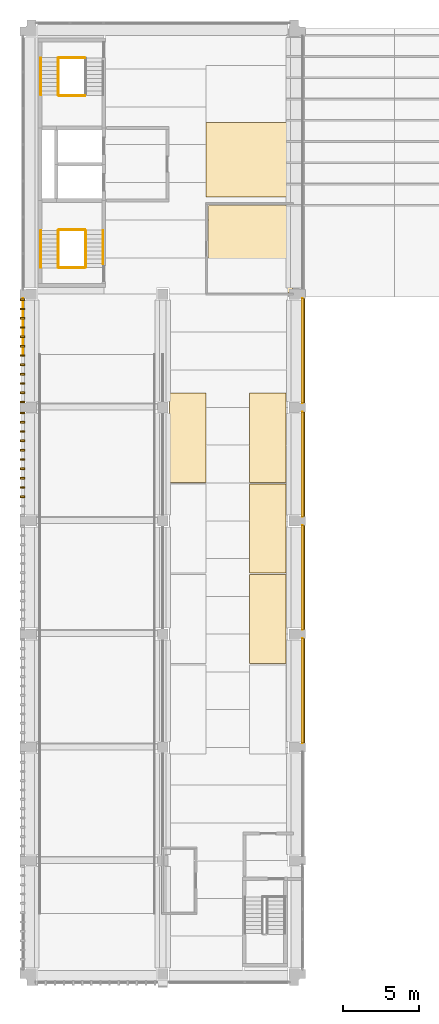
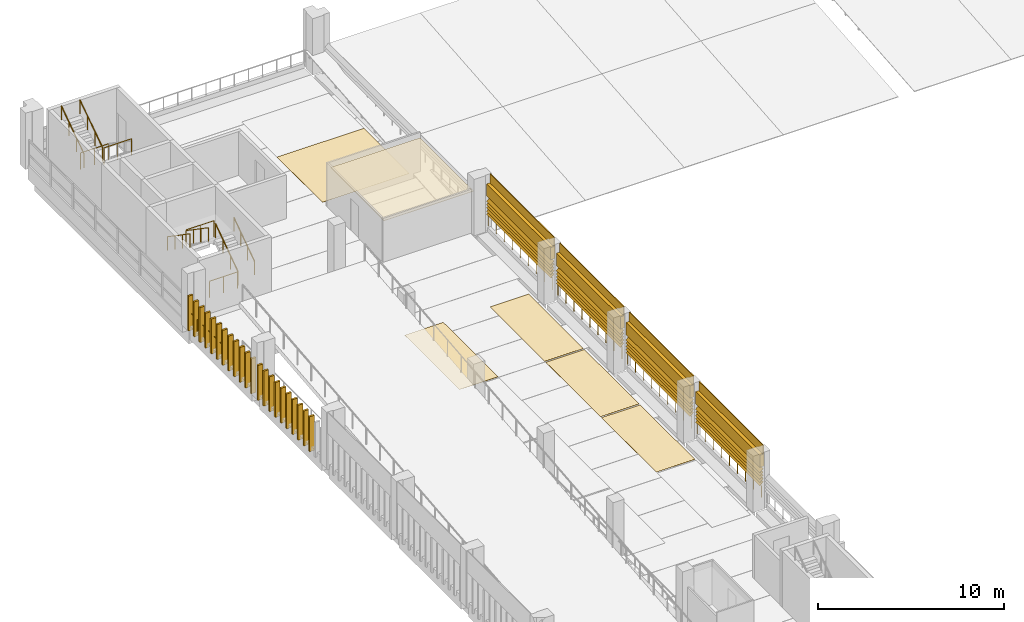
# One storey, part 17 of 24: 32 coverings, 20 shading devices, 15 railings.
"""IFC4 building model written with IfcOpenShell, lengths in metres."""

import ifcopenshell
import ifcopenshell.guid

model = None  # the IFC model being written
_history = None  # IfcOwnerHistory: only IFC2X3 demands one
_inside = {}  # id of a spatial element -> (the spatial element, [elements in it])
_under = {}  # id of a project, library or spatial element -> (it, [spatial elements below it])
_declared = {}  # id of a project -> (the project, [libraries it declares])
_typed = {}  # id of a type object -> (the type object, [elements of that type])
_made_of = {}  # id of a material, layer set ... -> (it, [elements and type objects made of it])


def new_model(schema):
    """Start an empty IFC model of exactly this schema.

    Asked for "IFC4X3", IfcOpenShell would pick the latest addendum, in which some entities
    have other attributes; the version numbers below select the first issue.
    IFC2X3 requires an IfcOwnerHistory on every rooted entity: one is made here for all.
    """
    global model, _history
    if schema == "IFC4X3":
        model = ifcopenshell.file(schema_version=(4, 3, 0, 0))
    else:
        model = ifcopenshell.file(schema=schema)
    _inside.clear()
    _under.clear()
    _declared.clear()
    _typed.clear()
    _made_of.clear()
    _history = None
    if model.schema == "IFC2X3":
        org = make("IfcOrganization", Name="unknown")
        user = make(
            "IfcPersonAndOrganization",
            ThePerson=make("IfcPerson", FamilyName="unknown"),
            TheOrganization=org,
        )
        app = make(
            "IfcApplication",
            ApplicationDeveloper=org,
            Version="unknown",
            ApplicationFullName="unknown",
            ApplicationIdentifier="unknown",
        )
        _history = make(
            "IfcOwnerHistory",
            OwningUser=user,
            OwningApplication=app,
            ChangeAction="ADDED",
            CreationDate=0,
        )
    return model


def make(cls, **values):
    """One entity of the class cls with the attributes given. An attribute that is None is left unset."""
    return model.create_entity(
        cls, **{name: value for name, value in values.items() if value is not None}
    )


def rooted(cls, **values):
    """An entity with a GlobalId (a new one), such as an element, a storey or a relation."""
    return make(cls, GlobalId=ifcopenshell.guid.new(), OwnerHistory=_history, **values)


def si_unit(unit_type, name, prefix=None):
    """IfcSIUnit, for example si_unit("LENGTHUNIT", "METRE", prefix="MILLI")."""
    return make("IfcSIUnit", UnitType=unit_type, Prefix=prefix, Name=name)


def assignment(units):
    """IfcUnitAssignment: the units of a project."""
    return None if units is None else make("IfcUnitAssignment", Units=units)


def point(xyz):
    """IfcCartesianPoint."""
    return None if xyz is None else make("IfcCartesianPoint", Coordinates=xyz)


def direction(xyz):
    """IfcDirection."""
    return None if xyz is None else make("IfcDirection", DirectionRatios=xyz)


def frame(location, z_axis=None, x_axis=None):
    """IfcAxis2Placement3D, a coordinate frame: its origin and axes. An axis left out is left unset."""
    return make(
        "IfcAxis2Placement3D",
        Location=point(location),
        Axis=direction(z_axis),
        RefDirection=direction(x_axis),
    )


def frame_2d(location, x_axis=None):
    """IfcAxis2Placement2D, a coordinate frame in the plane: its origin and x axis."""
    return make(
        "IfcAxis2Placement2D", Location=point(location), RefDirection=direction(x_axis)
    )


def origin():
    """The frame at (0, 0, 0) with its axes left unset."""
    return frame((0.0, 0.0, 0.0))


def origin_2d():
    """The frame at (0, 0) in the plane with its x axis left unset."""
    return frame_2d((0.0, 0.0))


def place(relative_to, where):
    """IfcLocalPlacement: puts the frame where relative to a parent placement (None: the world)."""
    return make(
        "IfcLocalPlacement", PlacementRelTo=relative_to, RelativePlacement=where
    )


def context(
    kind, dimensions, precision=None, world=None, true_north=None, identifier=None
):
    """IfcGeometricRepresentationContext, for example the 3D "Model" context."""
    return make(
        "IfcGeometricRepresentationContext",
        ContextIdentifier=identifier,
        ContextType=kind,
        CoordinateSpaceDimension=dimensions,
        Precision=precision,
        WorldCoordinateSystem=world,
        TrueNorth=true_north,
    )


def subcontext(parent, identifier, kind, view, scale=None):
    """IfcGeometricRepresentationSubContext, for example "Body" below "Model"."""
    return make(
        "IfcGeometricRepresentationSubContext",
        ContextIdentifier=identifier,
        ContextType=kind,
        ParentContext=parent,
        TargetScale=scale,
        TargetView=view,
    )


def project(units=None, contexts=None):
    """IfcProject with its units and contexts."""
    return rooted(
        "IfcProject",
        Name="project",
        RepresentationContexts=contexts,
        UnitsInContext=assignment(units),
    )


def spatial(cls, under=None, at=None, **own):
    """A site, building, storey or space (cls), placed at a placement, below another one or the project."""
    s = rooted(cls, ObjectPlacement=at, **own)
    if under is not None:
        _under.setdefault(under.id(), (under, []))[1].append(s)
    return s


def polyline(points):
    """IfcPolyline through the points."""
    return make("IfcPolyline", Points=[point(p) for p in points])


def profile(cls, at=None, kind="AREA", **sizes):
    """A parametric profile (cls). Its sizes go by their IFC names, for example OverallWidth=200.0."""
    return make(cls, ProfileType=kind, Position=at, **sizes)


def circle(**sizes):
    """IfcCircleProfileDef."""
    return profile("IfcCircleProfileDef", **sizes)


def outline(outer, holes=None, kind="AREA"):
    """IfcArbitraryClosedProfileDef: a profile drawn as a closed curve; with holes, ...WithVoids."""
    if holes is None:
        return make("IfcArbitraryClosedProfileDef", ProfileType=kind, OuterCurve=outer)
    return make(
        "IfcArbitraryProfileDefWithVoids",
        ProfileType=kind,
        OuterCurve=outer,
        InnerCurves=holes,
    )


def extrude(swept, where, along, depth):
    """IfcExtrudedAreaSolid: the profile swept, set in the frame where, extruded along a direction by depth."""
    return make(
        "IfcExtrudedAreaSolid",
        SweptArea=swept,
        Position=where,
        ExtrudedDirection=direction(along),
        Depth=depth,
    )


def shape(context_of_items, identifier, shape_type, items):
    """IfcShapeRepresentation: the items that make up one representation, for example the "Body"."""
    return make(
        "IfcShapeRepresentation",
        ContextOfItems=context_of_items,
        RepresentationIdentifier=identifier,
        RepresentationType=shape_type,
        Items=items,
    )


def material(Name=None, Category=None):
    """IfcMaterial."""
    return make("IfcMaterial", Name=Name, Category=Category)


def layer(
    of_material, thickness, ventilated=None, Name=None, Category=None, Priority=None
):
    """IfcMaterialLayer: one layer of a wall or slab, of a material (None: an air gap)."""
    return make(
        "IfcMaterialLayer",
        Material=of_material,
        LayerThickness=thickness,
        IsVentilated=ventilated,
        Name=Name,
        Category=Category,
        Priority=Priority,
    )


def layer_set(layers, Name=None):
    """IfcMaterialLayerSet."""
    return make("IfcMaterialLayerSet", MaterialLayers=layers, LayerSetName=Name)


def made_of(thing, what):
    """Note that an element or type object is made of a material, layer set ...; save() writes the relation."""
    if what is not None:
        _made_of.setdefault(what.id(), (what, []))[1].append(thing)
    return thing


def type_object(cls, material=None, **own):
    """A type object (cls), such as IfcWallType, which elements share."""
    return made_of(rooted(cls, **own), material)


def element(
    cls,
    number,
    at=None,
    inside=None,
    cuts=None,
    type_object=None,
    material=None,
    context=None,
    identifier="Body",
    shape_type=None,
    held_by="IfcProductDefinitionShape",
    body=None,
    shapes=None,
    **own,
):
    """One element of the class cls, such as IfcWall. Its Tag is "e" and its number.

    at: its placement. inside: the storey or other place that contains it. cuts: it is an
    opening in that element (IfcRelVoidsElement). A single representation is given by context,
    identifier, shape_type and body (its items); several are given by shapes. held_by: the class
    of the entity that holds the representations. save() writes the other relations.
    """
    e = rooted(cls, Tag="e%d" % number, ObjectPlacement=at, **own)
    if body is not None:
        shapes = [shape(context, identifier, shape_type, body)]
    if shapes is not None:
        e.Representation = make(held_by, Representations=shapes)
    if inside is not None:
        _inside.setdefault(inside.id(), (inside, []))[1].append(e)
    if cuts is not None:
        rooted(
            "IfcRelVoidsElement", RelatingBuildingElement=cuts, RelatedOpeningElement=e
        )
    if type_object is not None:
        _typed.setdefault(type_object.id(), (type_object, []))[1].append(e)
    return made_of(e, material)


def aggregate(whole, parts):
    """IfcRelAggregates: a whole, such as a stair, and the parts it consists of."""
    return rooted("IfcRelAggregates", RelatingObject=whole, RelatedObjects=parts)


def save(model, path):
    """Write the relations noted so far, then the file.

    IfcRelAggregates (storeys below a building ...), IfcRelContainedInSpatialStructure (elements
    in a storey), IfcRelDefinesByType, IfcRelAssociatesMaterial and IfcRelDeclares: one each for
    every whole, place, type object, material and project.
    """
    for whole, parts in _under.values():
        aggregate(whole, parts)
    for where, things in _inside.values():
        rooted(
            "IfcRelContainedInSpatialStructure",
            RelatedElements=things,
            RelatingStructure=where,
        )
    for kind, things in _typed.values():
        rooted("IfcRelDefinesByType", RelatedObjects=things, RelatingType=kind)
    for what, things in _made_of.values():
        rooted("IfcRelAssociatesMaterial", RelatedObjects=things, RelatingMaterial=what)
    for by, libraries in _declared.values():
        rooted("IfcRelDeclares", RelatingContext=by, RelatedDefinitions=libraries)
    model.write(path)


model = new_model("IFC4")

# Units and contexts
model_context = context("Model", 3, precision=1e-05, world=origin(), true_north=direction((0.0, 1.0)))
body_context = subcontext(model_context, "Body", "Model", "MODEL_VIEW")
ifc_project = project(units=[si_unit("LENGTHUNIT", "METRE"), si_unit("AREAUNIT", "SQUARE_METRE"), si_unit("VOLUMEUNIT", "CUBIC_METRE"), si_unit("PLANEANGLEUNIT", "RADIAN"), si_unit("MASSUNIT", "GRAM", prefix="KILO")], contexts=[model_context])

# Site, building, storey
site_placement = place(None, origin())
site = spatial("IfcSite", under=ifc_project, at=site_placement, CompositionType="ELEMENT")
building_placement = place(site_placement, origin())
building = spatial("IfcBuilding", under=site, at=building_placement, Name="Cour d'Honneur Mobility Palace", CompositionType="ELEMENT")
storey_placement = place(building_placement, frame((0.0, 0.0, 26.699951171875)))
storey = spatial("IfcBuildingStorey", under=building, at=storey_placement, Name="L07", CompositionType="ELEMENT", Elevation=26.699951171875)

# Covering
ifc_material_1 = material(Name="Accessible bay marking paint")
ifc_layer_1 = layer(ifc_material_1, 0.0048828125)
ifc_layer_set_1 = layer_set([ifc_layer_1], Name="Accessible bay marking paint")
covering_type_1 = type_object("IfcCoveringType", Name="Accessible parking bay marking", PredefinedType="FLOORING", material=ifc_layer_set_1)
covering_1_placement = place(storey_placement, origin())
element("IfcCovering", 1, at=covering_1_placement, inside=storey, type_object=covering_type_1, Name="Accessible parking bay marking L07 1", PredefinedType="FLOORING", context=body_context, shape_type="SweptSolid", body=[
    extrude(outline(polyline([(16.949951171875, 51.449951171875), (11.550048828125, 51.449951171875), (11.550048828125, 56.35009765625), (16.949951171875, 56.35009765625), (16.949951171875, 51.449951171875)])), origin(), (0.0, 0.0, 1.0), 0.005126953125),
])

# Railings
ifc_material_2 = material(Name="Painted steel", Category="steel")
railing_type_1 = type_object("IfcRailingType", Name="Balustrade", PredefinedType="BALUSTRADE", material=ifc_material_2)
for number, where, name in (
    (2, (17.949951171875, 15.300048828125, 0.300048828125), "Balustrade BAL-368"),
    (3, (17.949951171875, 22.800048828125, 0.300048828125), "Balustrade BAL-369"),
    (4, (17.949951171875, 30.300048828125, 0.300048828125), "Balustrade BAL-370"),
    (5, (17.949951171875, 37.800048828125, 0.300048828125), "Balustrade BAL-371"),
):
    element("IfcRailing", number, at=place(storey_placement, frame(where)), inside=storey, type_object=railing_type_1, Name=name, PredefinedType="BALUSTRADE", context=body_context, shape_type="SweptSolid", body=[
        extrude(circle(Radius=0.02392578125, at=origin_2d()), frame((0.0, 0.0, 0.77587890625), z_axis=(0.0, 1.0, 0.0), x_axis=(-1.0, 0.0, 0.0)), (0.0, 0.0, 1.0), 6.89990234375),
        extrude(circle(Radius=0.02099609375, at=origin_2d()), origin(), (0.0, 0.0, 1.0), 0.751953125),
        extrude(circle(Radius=0.02099609375, at=origin_2d()), frame((0.0, 0.862548828125, 0.0)), (0.0, 0.0, 1.0), 0.751953125),
        extrude(circle(Radius=0.02099609375, at=origin_2d()), frame((0.0, 1.72509765625, 0.0)), (0.0, 0.0, 1.0), 0.751953125),
        extrude(circle(Radius=0.02099609375, at=origin_2d()), frame((0.0, 2.58740234375, 0.0)), (0.0, 0.0, 1.0), 0.751953125),
        extrude(circle(Radius=0.02099609375, at=origin_2d()), frame((0.0, 3.449951171875, 0.0)), (0.0, 0.0, 1.0), 0.751953125),
        extrude(circle(Radius=0.02099609375, at=origin_2d()), frame((0.0, 4.3125, 0.0)), (0.0, 0.0, 1.0), 0.751953125),
        extrude(circle(Radius=0.02099609375, at=origin_2d()), frame((0.0, 5.1748046875, 0.0)), (0.0, 0.0, 1.0), 0.751953125),
        extrude(circle(Radius=0.02099609375, at=origin_2d()), frame((0.0, 6.037353515625, 0.0)), (0.0, 0.0, 1.0), 0.751953125),
        extrude(circle(Radius=0.02099609375, at=origin_2d()), frame((0.0, 6.89990234375, 0.0)), (0.0, 0.0, 1.0), 0.751953125),
    ])
railing_1_placement = place(storey_placement, frame((-0.550048828125, 44.699951171875, 0.300048828125)))
element("IfcRailing", 6, at=railing_1_placement, inside=storey, type_object=railing_type_1, Name="Balustrade BAL-374", PredefinedType="BALUSTRADE", context=body_context, shape_type="SweptSolid", body=[
    extrude(circle(Radius=0.02392578125, at=origin_2d()), frame((0.0, 0.0, 0.77587890625), z_axis=(0.0, -1.0, 0.0), x_axis=(1.0, 0.0, 0.0)), (0.0, 0.0, 1.0), 3.699951171875),
    extrude(circle(Radius=0.02099609375, at=origin_2d()), origin(), (0.0, 0.0, 1.0), 0.751953125),
    extrude(circle(Radius=0.02099609375, at=origin_2d()), frame((0.0, -0.739990234375, 0.0)), (0.0, 0.0, 1.0), 0.751953125),
    extrude(circle(Radius=0.02099609375, at=origin_2d()), frame((0.0, -1.47998046875, 0.0)), (0.0, 0.0, 1.0), 0.751953125),
    extrude(circle(Radius=0.02099609375, at=origin_2d()), frame((0.0, -2.219970703125, 0.0)), (0.0, 0.0, 1.0), 0.751953125),
    extrude(circle(Radius=0.02099609375, at=origin_2d()), frame((0.0, -2.9599609375, 0.0)), (0.0, 0.0, 1.0), 0.751953125),
    extrude(circle(Radius=0.02099609375, at=origin_2d()), frame((0.0, -3.699951171875, 0.0)), (0.0, 0.0, 1.0), 0.751953125),
])
ifc_material_3 = material(Name="Painted steel", Category="steel")
railing_type_2 = type_object("IfcRailingType", Name="Guardrail 1100", PredefinedType="GUARDRAIL", material=ifc_material_3)
for number, where, name in (
    (7, (1.824951171875, 46.7548828125, 0.0), "Guard ST-CW1"),
    (8, (1.824951171875, 49.264892578125, 1.85009765625), "Landing guard ST-CW1"),
    (9, (1.824951171875, 60.64501953125, 0.0), "Guard ST-CW2"),
    (10, (1.824951171875, 58.135009765625, 1.85009765625), "Landing guard ST-CW2"),
):
    element("IfcRailing", number, at=place(storey_placement, frame(where)), inside=storey, type_object=railing_type_2, Name=name, PredefinedType="GUARDRAIL", context=body_context, shape_type="SweptSolid", body=[
        extrude(circle(Radius=0.02490234375, at=origin_2d()), frame((0.0, 0.0, 1.0751953125), z_axis=(1.0, 0.0, 0.0), x_axis=(0.0, 1.0, 0.0)), (0.0, 0.0, 1.0), 1.72509765625),
        extrude(circle(Radius=0.02099609375, at=origin_2d()), origin(), (0.0, 0.0, 1.0), 1.050048828125),
        extrude(circle(Radius=0.02099609375, at=origin_2d()), frame((0.862548828125, 0.0, 0.0)), (0.0, 0.0, 1.0), 1.050048828125),
        extrude(circle(Radius=0.02099609375, at=origin_2d()), frame((1.72509765625, 0.0, 0.0)), (0.0, 0.0, 1.0), 1.050048828125),
    ])
ifc_material_4 = material(Name="Stainless steel", Category="steel")
railing_type_3 = type_object("IfcRailingType", Name="Handrail round 50", PredefinedType="HANDRAIL", material=ifc_material_4)
railing_2_placement = place(storey_placement, frame((4.75, 47.0, 0.33935546875)))
element("IfcRailing", 11, at=railing_2_placement, inside=storey, type_object=railing_type_3, Name="Handrail ST-CW1", PredefinedType="HANDRAIL", context=body_context, shape_type="SweptSolid", body=[
    extrude(circle(Radius=0.02490234375, at=origin_2d()), frame((0.0, 0.0, 0.89501953125), z_axis=(0.0, 0.824957609129, 0.565194606432), x_axis=(-1.0, 0.0, 0.0)), (0.0, 0.0, 1.0), 2.6728515625),
    extrude(circle(Radius=0.02099609375, at=origin_2d()), origin(), (0.0, 0.0, 1.0), 0.869873046875),
    extrude(circle(Radius=0.02099609375, at=origin_2d()), frame((0.0, 0.735107421875, 0.503662109375)), (0.0, 0.0, 1.0), 0.869873046875),
    extrude(circle(Radius=0.02099609375, at=origin_2d()), frame((0.0, 1.469970703125, 1.007080078125)), (0.0, 0.0, 1.0), 0.869873046875),
    extrude(circle(Radius=0.02099609375, at=origin_2d()), frame((0.0, 2.205078125, 1.5107421875)), (0.0, 0.0, 1.0), 0.869873046875),
])
railing_3_placement = place(storey_placement, frame((3.60009765625, 46.77490234375, 0.18505859375)))
element("IfcRailing", 12, at=railing_3_placement, inside=storey, type_object=railing_type_3, Name="Handrail ST-CW1", PredefinedType="HANDRAIL", context=body_context, shape_type="SweptSolid", body=[
    extrude(circle(Radius=0.02490234375, at=origin_2d()), frame((0.0, 0.0, 0.89501953125), z_axis=(0.0, 0.824945253146, 0.565212640793), x_axis=(-1.0, 0.0, 0.0)), (0.0, 0.0, 1.0), 2.94580078125),
    extrude(circle(Radius=0.02099609375, at=origin_2d()), origin(), (0.0, 0.0, 1.0), 0.869873046875),
    extrude(circle(Radius=0.02099609375, at=origin_2d()), frame((0.0, 0.81005859375, 0.554931640625)), (0.0, 0.0, 1.0), 0.869873046875),
    extrude(circle(Radius=0.02099609375, at=origin_2d()), frame((0.0, 1.6201171875, 1.110107421875)), (0.0, 0.0, 1.0), 0.869873046875),
    extrude(circle(Radius=0.02099609375, at=origin_2d()), frame((0.0, 2.43017578125, 1.6650390625)), (0.0, 0.0, 1.0), 0.869873046875),
])
for number, where, name in (
    (13, (1.77490234375, 49.205078125, 2.03515625), "Handrail ST-CW1"),
    (14, (0.625, 49.205078125, 2.03515625), "Handrail ST-CW1"),
):
    element("IfcRailing", number, at=place(storey_placement, frame(where)), inside=storey, type_object=railing_type_3, Name=name, PredefinedType="HANDRAIL", context=body_context, shape_type="SweptSolid", body=[
        extrude(circle(Radius=0.02490234375, at=origin_2d()), frame((0.0, 0.0, 0.89501953125), z_axis=(0.0, -0.824983895463, 0.565156237006), x_axis=(1.0, 0.0, 0.0)), (0.0, 0.0, 1.0), 2.94580078125),
        extrude(circle(Radius=0.02099609375, at=origin_2d()), origin(), (0.0, 0.0, 1.0), 0.869873046875),
        extrude(circle(Radius=0.02099609375, at=origin_2d()), frame((0.0, -0.81005859375, 0.554931640625)), (0.0, 0.0, 1.0), 0.869873046875),
        extrude(circle(Radius=0.02099609375, at=origin_2d()), frame((0.0, -1.6201171875, 1.10986328125)), (0.0, 0.0, 1.0), 0.869873046875),
        extrude(circle(Radius=0.02099609375, at=origin_2d()), frame((0.0, -2.43017578125, 1.664794921875)), (0.0, 0.0, 1.0), 0.869873046875),
    ])
for number, where, name in (
    (15, (1.77490234375, 58.195068359375, 2.03515625), "Handrail ST-CW2"),
    (16, (0.625, 58.195068359375, 2.03515625), "Handrail ST-CW2"),
):
    element("IfcRailing", number, at=place(storey_placement, frame(where)), inside=storey, type_object=railing_type_3, Name=name, PredefinedType="HANDRAIL", context=body_context, shape_type="SweptSolid", body=[
        extrude(circle(Radius=0.02490234375, at=origin_2d()), frame((0.0, 0.0, 0.89501953125), z_axis=(0.0, 0.824957420862, 0.565194881227), x_axis=(-1.0, 0.0, 0.0)), (0.0, 0.0, 1.0), 2.945556640625),
        extrude(circle(Radius=0.02099609375, at=origin_2d()), origin(), (0.0, 0.0, 1.0), 0.869873046875),
        extrude(circle(Radius=0.02099609375, at=origin_2d()), frame((0.0, 0.81005859375, 0.554931640625)), (0.0, 0.0, 1.0), 0.869873046875),
        extrude(circle(Radius=0.02099609375, at=origin_2d()), frame((0.0, 1.619873046875, 1.10986328125)), (0.0, 0.0, 1.0), 0.869873046875),
        extrude(circle(Radius=0.02099609375, at=origin_2d()), frame((0.0, 2.429931640625, 1.664794921875)), (0.0, 0.0, 1.0), 0.869873046875),
    ])

# Coverings
ifc_material_5 = material(Name="Parking marking paint")
ifc_layer_2 = layer(ifc_material_5, 0.0048828125)
ifc_layer_set_2 = layer_set([ifc_layer_2], Name="Parking marking paint")
covering_type_2 = type_object("IfcCoveringType", Name="Parking bay marking", PredefinedType="FLOORING", material=ifc_layer_set_2)
covering_2_placement = place(storey_placement, origin())
element("IfcCovering", 17, at=covering_2_placement, inside=storey, type_object=covering_type_2, Name="Parking bay marking L07 12", PredefinedType="FLOORING", context=body_context, shape_type="SweptSolid", body=[
    extrude(outline(polyline([(11.550048828125, 32.550048828125), (9.14990234375, 32.550048828125), (9.14990234375, 38.449951171875), (11.550048828125, 38.449951171875), (11.550048828125, 32.550048828125)])), origin(), (0.0, 0.0, 1.0), 0.005126953125),
])
covering_3_placement = place(storey_placement, origin())
element("IfcCovering", 18, at=covering_3_placement, inside=storey, type_object=covering_type_2, Name="Parking bay marking L07 14", PredefinedType="FLOORING", context=body_context, shape_type="SweptSolid", body=[
    extrude(outline(polyline([(16.85009765625, 20.550048828125), (14.449951171875, 20.550048828125), (14.449951171875, 26.449951171875), (16.85009765625, 26.449951171875), (16.85009765625, 20.550048828125)])), origin(), (0.0, 0.0, 1.0), 0.005126953125),
])
covering_4_placement = place(storey_placement, origin())
element("IfcCovering", 19, at=covering_4_placement, inside=storey, type_object=covering_type_2, Name="Parking bay marking L07 15", PredefinedType="FLOORING", context=body_context, shape_type="SweptSolid", body=[
    extrude(outline(polyline([(16.85009765625, 26.550048828125), (14.449951171875, 26.550048828125), (14.449951171875, 32.449951171875), (16.85009765625, 32.449951171875), (16.85009765625, 26.550048828125)])), origin(), (0.0, 0.0, 1.0), 0.005126953125),
])
covering_5_placement = place(storey_placement, origin())
element("IfcCovering", 20, at=covering_5_placement, inside=storey, type_object=covering_type_2, Name="Parking bay marking L07 16", PredefinedType="FLOORING", context=body_context, shape_type="SweptSolid", body=[
    extrude(outline(polyline([(16.85009765625, 32.550048828125), (14.449951171875, 32.550048828125), (14.449951171875, 38.449951171875), (16.85009765625, 38.449951171875), (16.85009765625, 32.550048828125)])), origin(), (0.0, 0.0, 1.0), 0.005126953125),
])
ifc_material_6 = material(Name="Cast limestone", Category="masonry")
ifc_layer_3 = layer(ifc_material_6, 0.1201171875)
ifc_layer_set_3 = layer_set([ifc_layer_3], Name="Cast limestone")
covering_type_3 = type_object("IfcCoveringType", Name="Ramp screen fin", PredefinedType="CLADDING", material=ifc_layer_set_3)
covering_6_placement = place(storey_placement, origin())
element("IfcCovering", 21, at=covering_6_placement, inside=storey, type_object=covering_type_3, Name="Ramp screen fin W3.1 L07 1", PredefinedType="CLADDING", context=body_context, shape_type="SweptSolid", body=[
    extrude(outline(polyline([(-0.449951171875, 44.699951171875), (-0.449951171875, 44.580078125), (-0.75, 44.580078125), (-0.75, 44.699951171875), (-0.449951171875, 44.699951171875)])), origin(), (0.0, 0.0, 1.0), 2.300048828125),
])
covering_7_placement = place(storey_placement, origin())
element("IfcCovering", 22, at=covering_7_placement, inside=storey, type_object=covering_type_3, Name="Ramp screen fin W3.1 L07 2", PredefinedType="CLADDING", context=body_context, shape_type="SweptSolid", body=[
    extrude(outline(polyline([(-0.449951171875, 44.083740234375), (-0.449951171875, 43.963623046875), (-0.75, 43.963623046875), (-0.75, 44.083740234375), (-0.449951171875, 44.083740234375)])), origin(), (0.0, 0.0, 1.0), 2.300048828125),
])
covering_8_placement = place(storey_placement, origin())
element("IfcCovering", 23, at=covering_8_placement, inside=storey, type_object=covering_type_3, Name="Ramp screen fin W3.1 L07 3", PredefinedType="CLADDING", context=body_context, shape_type="SweptSolid", body=[
    extrude(outline(polyline([(-0.449951171875, 43.46728515625), (-0.449951171875, 43.34716796875), (-0.75, 43.34716796875), (-0.75, 43.46728515625), (-0.449951171875, 43.46728515625)])), origin(), (0.0, 0.0, 1.0), 2.300048828125),
])
covering_9_placement = place(storey_placement, origin())
element("IfcCovering", 24, at=covering_9_placement, inside=storey, type_object=covering_type_3, Name="Ramp screen fin W3.1 L07 4", PredefinedType="CLADDING", context=body_context, shape_type="SweptSolid", body=[
    extrude(outline(polyline([(-0.449951171875, 42.850830078125), (-0.449951171875, 42.73095703125), (-0.75, 42.73095703125), (-0.75, 42.850830078125), (-0.449951171875, 42.850830078125)])), origin(), (0.0, 0.0, 1.0), 2.300048828125),
])
covering_10_placement = place(storey_placement, origin())
element("IfcCovering", 25, at=covering_10_placement, inside=storey, type_object=covering_type_3, Name="Ramp screen fin W3.1 L07 5", PredefinedType="CLADDING", context=body_context, shape_type="SweptSolid", body=[
    extrude(outline(polyline([(-0.449951171875, 42.234619140625), (-0.449951171875, 42.114501953125), (-0.75, 42.114501953125), (-0.75, 42.234619140625), (-0.449951171875, 42.234619140625)])), origin(), (0.0, 0.0, 1.0), 2.300048828125),
])
covering_11_placement = place(storey_placement, origin())
element("IfcCovering", 26, at=covering_11_placement, inside=storey, type_object=covering_type_3, Name="Ramp screen fin W3.1 L07 6", PredefinedType="CLADDING", context=body_context, shape_type="SweptSolid", body=[
    extrude(outline(polyline([(-0.449951171875, 41.6181640625), (-0.449951171875, 41.498291015625), (-0.75, 41.498291015625), (-0.75, 41.6181640625), (-0.449951171875, 41.6181640625)])), origin(), (0.0, 0.0, 1.0), 2.300048828125),
])
covering_12_placement = place(storey_placement, origin())
element("IfcCovering", 27, at=covering_12_placement, inside=storey, type_object=covering_type_3, Name="Ramp screen fin W3.1 L07 7", PredefinedType="CLADDING", context=body_context, shape_type="SweptSolid", body=[
    extrude(outline(polyline([(-0.449951171875, 41.001708984375), (-0.449951171875, 40.8818359375), (-0.75, 40.8818359375), (-0.75, 41.001708984375), (-0.449951171875, 41.001708984375)])), origin(), (0.0, 0.0, 1.0), 2.300048828125),
])
covering_13_placement = place(storey_placement, origin())
element("IfcCovering", 28, at=covering_13_placement, inside=storey, type_object=covering_type_3, Name="Ramp screen fin W3.1 L07 8", PredefinedType="CLADDING", context=body_context, shape_type="SweptSolid", body=[
    extrude(outline(polyline([(-0.449951171875, 40.385498046875), (-0.449951171875, 40.265380859375), (-0.75, 40.265380859375), (-0.75, 40.385498046875), (-0.449951171875, 40.385498046875)])), origin(), (0.0, 0.0, 1.0), 2.300048828125),
])
covering_14_placement = place(storey_placement, origin())
element("IfcCovering", 29, at=covering_14_placement, inside=storey, type_object=covering_type_3, Name="Ramp screen fin W3.1 L07 9", PredefinedType="CLADDING", context=body_context, shape_type="SweptSolid", body=[
    extrude(outline(polyline([(-0.449951171875, 39.76904296875), (-0.449951171875, 39.649169921875), (-0.75, 39.649169921875), (-0.75, 39.76904296875), (-0.449951171875, 39.76904296875)])), origin(), (0.0, 0.0, 1.0), 2.300048828125),
])
covering_15_placement = place(storey_placement, origin())
element("IfcCovering", 30, at=covering_15_placement, inside=storey, type_object=covering_type_3, Name="Ramp screen fin W3.1 L07 10", PredefinedType="CLADDING", context=body_context, shape_type="SweptSolid", body=[
    extrude(outline(polyline([(-0.449951171875, 39.15283203125), (-0.449951171875, 39.03271484375), (-0.75, 39.03271484375), (-0.75, 39.15283203125), (-0.449951171875, 39.15283203125)])), origin(), (0.0, 0.0, 1.0), 2.300048828125),
])
covering_16_placement = place(storey_placement, origin())
element("IfcCovering", 31, at=covering_16_placement, inside=storey, type_object=covering_type_3, Name="Ramp screen fin W3.1 L07 11", PredefinedType="CLADDING", context=body_context, shape_type="SweptSolid", body=[
    extrude(outline(polyline([(-0.449951171875, 38.536376953125), (-0.449951171875, 38.416259765625), (-0.75, 38.416259765625), (-0.75, 38.536376953125), (-0.449951171875, 38.536376953125)])), origin(), (0.0, 0.0, 1.0), 2.300048828125),
])
covering_17_placement = place(storey_placement, origin())
element("IfcCovering", 32, at=covering_17_placement, inside=storey, type_object=covering_type_3, Name="Ramp screen fin W3.1 L07 12", PredefinedType="CLADDING", context=body_context, shape_type="SweptSolid", body=[
    extrude(outline(polyline([(-0.449951171875, 37.919921875), (-0.449951171875, 37.800048828125), (-0.75, 37.800048828125), (-0.75, 37.919921875), (-0.449951171875, 37.919921875)])), origin(), (0.0, 0.0, 1.0), 2.300048828125),
])
covering_18_placement = place(storey_placement, origin())
element("IfcCovering", 33, at=covering_18_placement, inside=storey, type_object=covering_type_3, Name="Ramp screen fin W3.2 L07 1", PredefinedType="CLADDING", context=body_context, shape_type="SweptSolid", body=[
    extrude(outline(polyline([(-0.449951171875, 37.199951171875), (-0.449951171875, 37.080078125), (-0.75, 37.080078125), (-0.75, 37.199951171875), (-0.449951171875, 37.199951171875)])), origin(), (0.0, 0.0, 1.0), 2.300048828125),
])
covering_19_placement = place(storey_placement, origin())
element("IfcCovering", 34, at=covering_19_placement, inside=storey, type_object=covering_type_3, Name="Ramp screen fin W3.2 L07 2", PredefinedType="CLADDING", context=body_context, shape_type="SweptSolid", body=[
    extrude(outline(polyline([(-0.449951171875, 36.583740234375), (-0.449951171875, 36.463623046875), (-0.75, 36.463623046875), (-0.75, 36.583740234375), (-0.449951171875, 36.583740234375)])), origin(), (0.0, 0.0, 1.0), 2.300048828125),
])
covering_20_placement = place(storey_placement, origin())
element("IfcCovering", 35, at=covering_20_placement, inside=storey, type_object=covering_type_3, Name="Ramp screen fin W3.2 L07 3", PredefinedType="CLADDING", context=body_context, shape_type="SweptSolid", body=[
    extrude(outline(polyline([(-0.449951171875, 35.96728515625), (-0.449951171875, 35.84716796875), (-0.75, 35.84716796875), (-0.75, 35.96728515625), (-0.449951171875, 35.96728515625)])), origin(), (0.0, 0.0, 1.0), 2.300048828125),
])
covering_21_placement = place(storey_placement, origin())
element("IfcCovering", 36, at=covering_21_placement, inside=storey, type_object=covering_type_3, Name="Ramp screen fin W3.2 L07 4", PredefinedType="CLADDING", context=body_context, shape_type="SweptSolid", body=[
    extrude(outline(polyline([(-0.449951171875, 35.350830078125), (-0.449951171875, 35.23095703125), (-0.75, 35.23095703125), (-0.75, 35.350830078125), (-0.449951171875, 35.350830078125)])), origin(), (0.0, 0.0, 1.0), 2.300048828125),
])
covering_22_placement = place(storey_placement, origin())
element("IfcCovering", 37, at=covering_22_placement, inside=storey, type_object=covering_type_3, Name="Ramp screen fin W3.2 L07 5", PredefinedType="CLADDING", context=body_context, shape_type="SweptSolid", body=[
    extrude(outline(polyline([(-0.449951171875, 34.734619140625), (-0.449951171875, 34.614501953125), (-0.75, 34.614501953125), (-0.75, 34.734619140625), (-0.449951171875, 34.734619140625)])), origin(), (0.0, 0.0, 1.0), 2.300048828125),
])
covering_23_placement = place(storey_placement, origin())
element("IfcCovering", 38, at=covering_23_placement, inside=storey, type_object=covering_type_3, Name="Ramp screen fin W3.2 L07 6", PredefinedType="CLADDING", context=body_context, shape_type="SweptSolid", body=[
    extrude(outline(polyline([(-0.449951171875, 34.1181640625), (-0.449951171875, 33.998291015625), (-0.75, 33.998291015625), (-0.75, 34.1181640625), (-0.449951171875, 34.1181640625)])), origin(), (0.0, 0.0, 1.0), 2.300048828125),
])
covering_24_placement = place(storey_placement, origin())
element("IfcCovering", 39, at=covering_24_placement, inside=storey, type_object=covering_type_3, Name="Ramp screen fin W3.2 L07 7", PredefinedType="CLADDING", context=body_context, shape_type="SweptSolid", body=[
    extrude(outline(polyline([(-0.449951171875, 33.501708984375), (-0.449951171875, 33.3818359375), (-0.75, 33.3818359375), (-0.75, 33.501708984375), (-0.449951171875, 33.501708984375)])), origin(), (0.0, 0.0, 1.0), 2.300048828125),
])
covering_25_placement = place(storey_placement, origin())
element("IfcCovering", 40, at=covering_25_placement, inside=storey, type_object=covering_type_3, Name="Ramp screen fin W3.2 L07 8", PredefinedType="CLADDING", context=body_context, shape_type="SweptSolid", body=[
    extrude(outline(polyline([(-0.449951171875, 32.885498046875), (-0.449951171875, 32.765380859375), (-0.75, 32.765380859375), (-0.75, 32.885498046875), (-0.449951171875, 32.885498046875)])), origin(), (0.0, 0.0, 1.0), 2.300048828125),
])
covering_26_placement = place(storey_placement, origin())
element("IfcCovering", 41, at=covering_26_placement, inside=storey, type_object=covering_type_3, Name="Ramp screen fin W3.2 L07 9", PredefinedType="CLADDING", context=body_context, shape_type="SweptSolid", body=[
    extrude(outline(polyline([(-0.449951171875, 32.26904296875), (-0.449951171875, 32.149169921875), (-0.75, 32.149169921875), (-0.75, 32.26904296875), (-0.449951171875, 32.26904296875)])), origin(), (0.0, 0.0, 1.0), 2.300048828125),
])
covering_27_placement = place(storey_placement, origin())
element("IfcCovering", 42, at=covering_27_placement, inside=storey, type_object=covering_type_3, Name="Ramp screen fin W3.2 L07 10", PredefinedType="CLADDING", context=body_context, shape_type="SweptSolid", body=[
    extrude(outline(polyline([(-0.449951171875, 31.65283203125), (-0.449951171875, 31.53271484375), (-0.75, 31.53271484375), (-0.75, 31.65283203125), (-0.449951171875, 31.65283203125)])), origin(), (0.0, 0.0, 1.0), 2.300048828125),
])
ifc_material_7 = material(Name="Cast limestone", Category="masonry")
ifc_layer_4 = layer(ifc_material_7, 0.25)
ifc_layer_set_4 = layer_set([ifc_layer_4], Name="Cast limestone")
covering_type_4 = type_object("IfcCoveringType", Name="Spandrel cladding", PredefinedType="CLADDING", material=ifc_layer_set_4)
for number, where, z_axis, x_axis, name in (
    (43, (17.85009765625, 15.300048828125, 2.300048828125), (0.0, -1.0, 0.0), (1.0, 0.0, 0.0), "Spandrel cladding SK-376"),
    (44, (17.85009765625, 22.800048828125, 2.300048828125), (0.0, -1.0, 0.0), (1.0, 0.0, 0.0), "Spandrel cladding SK-377"),
    (45, (17.85009765625, 30.300048828125, 2.300048828125), (0.0, -1.0, 0.0), (1.0, 0.0, 0.0), "Spandrel cladding SK-378"),
    (46, (17.85009765625, 37.800048828125, 2.300048828125), (0.0, -1.0, 0.0), (1.0, 0.0, 0.0), "Spandrel cladding SK-379"),
):
    element("IfcCovering", number, at=place(storey_placement, frame(where, z_axis=z_axis, x_axis=x_axis)), inside=storey, type_object=covering_type_4, Name=name, PredefinedType="CLADDING", context=body_context, shape_type="SweptSolid", body=[
        extrude(outline(polyline([(0.0, 0.0), (0.25, 0.0), (0.25, 1.39990234375), (0.199951171875, 1.39990234375), (0.199951171875, 0.800048828125), (0.0, 0.800048828125), (0.0, 0.0)])), origin(), (0.0, 0.0, -1.0), 6.89990234375),
    ])
ifc_material_8 = material(Name="Suspended ceiling")
ifc_layer_5 = layer(ifc_material_8, 0.030029296875)
ifc_layer_set_5 = layer_set([ifc_layer_5], Name="Suspended ceiling")
covering_type_5 = type_object("IfcCoveringType", Name="Suspended ceiling", PredefinedType="CEILING", material=ifc_layer_set_5)
covering_28_placement = place(storey_placement, frame((0.0, 0.0, 2.550048828125)))
element("IfcCovering", 47, at=covering_28_placement, inside=storey, type_object=covering_type_5, Name="Ceiling Charging Control Room", PredefinedType="CEILING", context=body_context, shape_type="SweptSolid", body=[
    extrude(outline(polyline([(17.280029296875, 45.1201171875), (11.719970703125, 45.1201171875), (11.719970703125, 50.8798828125), (17.280029296875, 50.8798828125), (17.280029296875, 45.1201171875)])), origin(), (0.0, 0.0, 1.0), 0.030029296875),
])

# Shading devices
ifc_material_9 = material(Name="Terracotta", Category="masonry")
ifc_layer_6 = layer(ifc_material_9, 0.02490234375)
ifc_layer_set_6 = layer_set([ifc_layer_6], Name="Terracotta")
shading_device_type = type_object("IfcShadingDeviceType", Name="Terracotta louvre blade", PredefinedType="JALOUSIE", material=ifc_layer_set_6)
for number, where, z_axis, x_axis, name in (
    (48, (17.843994140625, 15.300048828125, 1.10009765625), (-0.707106781187, 0.0, 0.707106781187), (0.0, 1.0, 0.0), "Louvre blade LV-1 E1.2 L07 1"),
    (49, (17.843994140625, 15.300048828125, 1.312255859375), (-0.707106781187, 0.0, 0.707106781187), (0.0, 1.0, 0.0), "Louvre blade LV-1 E1.2 L07 2"),
):
    element("IfcShadingDevice", number, at=place(storey_placement, frame(where, z_axis=z_axis, x_axis=x_axis)), inside=storey, type_object=shading_device_type, Name=name, PredefinedType="JALOUSIE", context=body_context, shape_type="SweptSolid", body=[
        extrude(outline(polyline([(0.0, 0.0), (6.89990234375, 0.0), (6.89990234375, -0.300037008228081), (0.0, -0.300037008228081), (0.0, 0.0)])), origin(), (0.0, 0.0, -1.0), 0.02490234375),
    ])
shading_device_1_placement = place(storey_placement, frame((17.843994140625, 15.300048828125, 1.5244140625), z_axis=(-0.706699578995, 0.0, 0.707513749017), x_axis=(0.0, 1.0, 0.0)))
element("IfcShadingDevice", 50, at=shading_device_1_placement, inside=storey, type_object=shading_device_type, Name="Louvre blade LV-1 E1.2 L07 3", PredefinedType="JALOUSIE", context=body_context, shape_type="SweptSolid", body=[
    extrude(outline(polyline([(0.0, 0.0), (6.89990234375, 0.0), (6.89990234375, -0.29986442442957895), (0.0, -0.29986442442957895), (0.0, 0.0)])), origin(), (0.0, 0.0, -1.0), 0.02490234375),
])
for number, where, z_axis, x_axis, name in (
    (51, (17.843994140625, 15.300048828125, 1.736328125), (-0.707106781187, 0.0, 0.707106781187), (0.0, 1.0, 0.0), "Louvre blade LV-1 E1.2 L07 4"),
    (52, (17.843994140625, 15.300048828125, 1.948486328125), (-0.707106781187, 0.0, 0.707106781187), (0.0, 1.0, 0.0), "Louvre blade LV-1 E1.2 L07 5"),
    (53, (17.843994140625, 22.800048828125, 1.10009765625), (-0.707106781187, 0.0, 0.707106781187), (0.0, 1.0, 0.0), "Louvre blade LV-1 E1.3 L07 1"),
    (54, (17.843994140625, 22.800048828125, 1.312255859375), (-0.707106781187, 0.0, 0.707106781187), (0.0, 1.0, 0.0), "Louvre blade LV-1 E1.3 L07 2"),
):
    element("IfcShadingDevice", number, at=place(storey_placement, frame(where, z_axis=z_axis, x_axis=x_axis)), inside=storey, type_object=shading_device_type, Name=name, PredefinedType="JALOUSIE", context=body_context, shape_type="SweptSolid", body=[
        extrude(outline(polyline([(0.0, 0.0), (6.89990234375, 0.0), (6.89990234375, -0.300037008228081), (0.0, -0.300037008228081), (0.0, 0.0)])), origin(), (0.0, 0.0, -1.0), 0.02490234375),
    ])
shading_device_2_placement = place(storey_placement, frame((17.843994140625, 22.800048828125, 1.5244140625), z_axis=(-0.706699578995, 0.0, 0.707513749017), x_axis=(0.0, 1.0, 0.0)))
element("IfcShadingDevice", 55, at=shading_device_2_placement, inside=storey, type_object=shading_device_type, Name="Louvre blade LV-1 E1.3 L07 3", PredefinedType="JALOUSIE", context=body_context, shape_type="SweptSolid", body=[
    extrude(outline(polyline([(0.0, 0.0), (6.89990234375, 0.0), (6.89990234375, -0.29986442442957895), (0.0, -0.29986442442957895), (0.0, 0.0)])), origin(), (0.0, 0.0, -1.0), 0.02490234375),
])
for number, where, z_axis, x_axis, name in (
    (56, (17.843994140625, 22.800048828125, 1.736328125), (-0.707106781187, 0.0, 0.707106781187), (0.0, 1.0, 0.0), "Louvre blade LV-1 E1.3 L07 4"),
    (57, (17.843994140625, 22.800048828125, 1.948486328125), (-0.707106781187, 0.0, 0.707106781187), (0.0, 1.0, 0.0), "Louvre blade LV-1 E1.3 L07 5"),
    (58, (17.843994140625, 30.300048828125, 1.10009765625), (-0.707106781187, 0.0, 0.707106781187), (0.0, 1.0, 0.0), "Louvre blade LV-1 E1.4 L07 1"),
    (59, (17.843994140625, 30.300048828125, 1.312255859375), (-0.707106781187, 0.0, 0.707106781187), (0.0, 1.0, 0.0), "Louvre blade LV-1 E1.4 L07 2"),
):
    element("IfcShadingDevice", number, at=place(storey_placement, frame(where, z_axis=z_axis, x_axis=x_axis)), inside=storey, type_object=shading_device_type, Name=name, PredefinedType="JALOUSIE", context=body_context, shape_type="SweptSolid", body=[
        extrude(outline(polyline([(0.0, 0.0), (6.89990234375, 0.0), (6.89990234375, -0.300037008228081), (0.0, -0.300037008228081), (0.0, 0.0)])), origin(), (0.0, 0.0, -1.0), 0.02490234375),
    ])
shading_device_3_placement = place(storey_placement, frame((17.843994140625, 30.300048828125, 1.5244140625), z_axis=(-0.706699578995, 0.0, 0.707513749017), x_axis=(0.0, 1.0, 0.0)))
element("IfcShadingDevice", 60, at=shading_device_3_placement, inside=storey, type_object=shading_device_type, Name="Louvre blade LV-1 E1.4 L07 3", PredefinedType="JALOUSIE", context=body_context, shape_type="SweptSolid", body=[
    extrude(outline(polyline([(0.0, 0.0), (6.89990234375, 0.0), (6.89990234375, -0.29986442442957895), (0.0, -0.29986442442957895), (0.0, 0.0)])), origin(), (0.0, 0.0, -1.0), 0.02490234375),
])
for number, where, z_axis, x_axis, name in (
    (61, (17.843994140625, 30.300048828125, 1.736328125), (-0.707106781187, 0.0, 0.707106781187), (0.0, 1.0, 0.0), "Louvre blade LV-1 E1.4 L07 4"),
    (62, (17.843994140625, 30.300048828125, 1.948486328125), (-0.707106781187, 0.0, 0.707106781187), (0.0, 1.0, 0.0), "Louvre blade LV-1 E1.4 L07 5"),
    (63, (17.843994140625, 37.800048828125, 1.10009765625), (-0.707106781187, 0.0, 0.707106781187), (0.0, 1.0, 0.0), "Louvre blade LV-1 E1.5 L07 1"),
    (64, (17.843994140625, 37.800048828125, 1.312255859375), (-0.707106781187, 0.0, 0.707106781187), (0.0, 1.0, 0.0), "Louvre blade LV-1 E1.5 L07 2"),
):
    element("IfcShadingDevice", number, at=place(storey_placement, frame(where, z_axis=z_axis, x_axis=x_axis)), inside=storey, type_object=shading_device_type, Name=name, PredefinedType="JALOUSIE", context=body_context, shape_type="SweptSolid", body=[
        extrude(outline(polyline([(0.0, 0.0), (6.89990234375, 0.0), (6.89990234375, -0.300037008228081), (0.0, -0.300037008228081), (0.0, 0.0)])), origin(), (0.0, 0.0, -1.0), 0.02490234375),
    ])
shading_device_4_placement = place(storey_placement, frame((17.843994140625, 37.800048828125, 1.5244140625), z_axis=(-0.706699578995, 0.0, 0.707513749017), x_axis=(0.0, 1.0, 0.0)))
element("IfcShadingDevice", 65, at=shading_device_4_placement, inside=storey, type_object=shading_device_type, Name="Louvre blade LV-1 E1.5 L07 3", PredefinedType="JALOUSIE", context=body_context, shape_type="SweptSolid", body=[
    extrude(outline(polyline([(0.0, 0.0), (6.89990234375, 0.0), (6.89990234375, -0.29986442442957895), (0.0, -0.29986442442957895), (0.0, 0.0)])), origin(), (0.0, 0.0, -1.0), 0.02490234375),
])
for number, where, z_axis, x_axis, name in (
    (66, (17.843994140625, 37.800048828125, 1.736328125), (-0.707106781187, 0.0, 0.707106781187), (0.0, 1.0, 0.0), "Louvre blade LV-1 E1.5 L07 4"),
    (67, (17.843994140625, 37.800048828125, 1.948486328125), (-0.707106781187, 0.0, 0.707106781187), (0.0, 1.0, 0.0), "Louvre blade LV-1 E1.5 L07 5"),
):
    element("IfcShadingDevice", number, at=place(storey_placement, frame(where, z_axis=z_axis, x_axis=x_axis)), inside=storey, type_object=shading_device_type, Name=name, PredefinedType="JALOUSIE", context=body_context, shape_type="SweptSolid", body=[
        extrude(outline(polyline([(0.0, 0.0), (6.89990234375, 0.0), (6.89990234375, -0.300037008228081), (0.0, -0.300037008228081), (0.0, 0.0)])), origin(), (0.0, 0.0, -1.0), 0.02490234375),
    ])

save(model, "model.ifc")
